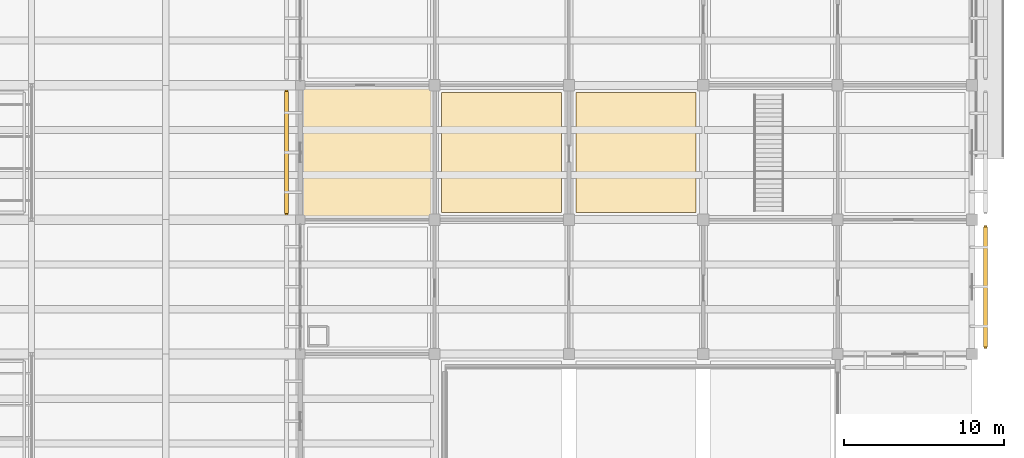
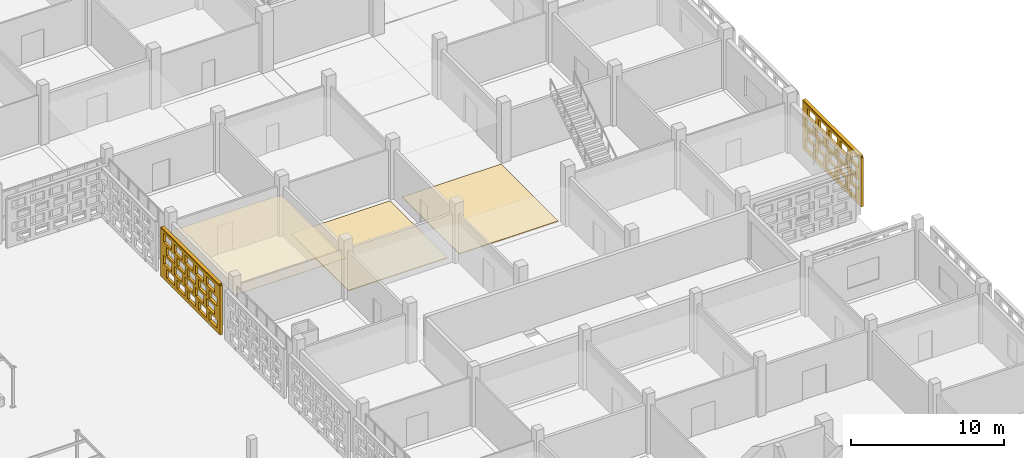
# One storey, part 122 of 129: 5 coverings, 2 shading devices, 40 openings.
"""IFC4 building model written with IfcOpenShell, lengths in metres."""

from ifc_helpers import new_model, si_unit, direction, frame, frame_2d, origin, origin_2d, place, context, subcontext, project, spatial, rectangle, extrude, material, layer, layer_set, type_object, element, save


model = new_model("IFC4")

# Units and contexts
model_context = context("Model", 3, precision=1e-05, world=origin(), true_north=direction((0.0, 1.0)))
body_context = subcontext(model_context, "Body", "Model", "MODEL_VIEW")
ifc_project = project(units=[si_unit("LENGTHUNIT", "METRE"), si_unit("AREAUNIT", "SQUARE_METRE"), si_unit("VOLUMEUNIT", "CUBIC_METRE"), si_unit("PLANEANGLEUNIT", "RADIAN"), si_unit("MASSUNIT", "GRAM", prefix="KILO")], contexts=[model_context])

# Site, building, storey
site_placement = place(None, origin())
site = spatial("IfcSite", under=ifc_project, at=site_placement, CompositionType="ELEMENT")
building_placement = place(site_placement, origin())
building = spatial("IfcBuilding", under=site, at=building_placement, Name="Varnapada Polytechnic", CompositionType="ELEMENT")
storey_placement = place(building_placement, origin())
storey = spatial("IfcBuildingStorey", under=building, at=storey_placement, Name="L00", CompositionType="ELEMENT", Elevation=0.0)

# Coverings
ifc_material_1 = material(Name="End-Grain Timber Studio Block Flooring", Category="wood")
ifc_layer_1 = layer(ifc_material_1, 0.054931640625)
ifc_layer_set_1 = layer_set([ifc_layer_1], Name="End-Grain Timber Studio Block Flooring")
covering_type_1 = type_object("IfcCoveringType", Name="Floor Finish FLR-04", PredefinedType="FLOORING", material=ifc_layer_set_1)
for number, where, z_axis, x_axis, name in (
    (1, (147.0, 71.39990234375, 0.0), (0.0, 0.0, 1.0), (1.0, 0.0, 0.0), "L00 floor finish panel (18,9)"),
    (2, (155.39990234375, 71.39990234375, 0.0), (0.0, 0.0, 1.0), (1.0, 0.0, 0.0), "L00 floor finish panel (19,9)"),
):
    element("IfcCovering", number, at=place(storey_placement, frame(where, z_axis=z_axis, x_axis=x_axis)), inside=storey, type_object=covering_type_1, Name=name, PredefinedType="FLOORING", context=body_context, shape_type="SweptSolid", body=[
        extrude(rectangle(XDim=7.5, YDim=7.5, at=origin_2d()), origin(), (0.0, 0.0, 1.0), 0.054931640625),
    ])
ifc_material_2 = material(Name="Micro-Perforated Gypsum Acoustic Ceiling")
ifc_layer_2 = layer(ifc_material_2, 0.044921875)
ifc_layer_set_2 = layer_set([ifc_layer_2], Name="Micro-Perforated Gypsum Acoustic Ceiling")
covering_type_2 = type_object("IfcCoveringType", Name="Suspended Ceiling CLG-04", PredefinedType="CEILING", material=ifc_layer_set_2)
covering_1_placement = place(storey_placement, frame((138.60009765625, 71.39990234375, 3.027587890625), z_axis=(0.0, 0.0, 1.0), x_axis=(1.0, 0.0, 0.0)))
element("IfcCovering", 3, at=covering_1_placement, inside=storey, type_object=covering_type_2, Name="L00 suspended acoustic ceiling (17,9)", PredefinedType="CEILING", context=body_context, shape_type="SweptSolid", body=[
    extrude(rectangle(XDim=8.419921875, YDim=8.419921875, at=origin_2d()), origin(), (0.0, 0.0, 1.0), 0.044921875),
])

# Covering, openings
ifc_material_3 = material(Name="Earth-toned architectural terracotta screen block", Category="masonry")
ifc_layer_3 = layer(ifc_material_3, 0.1201171875)
ifc_layer_set_3 = layer_set([ifc_layer_3], Name="Earth-toned architectural terracotta screen block")
covering_type_3 = type_object("IfcCoveringType", Name="Terracotta Screen Cladding CLD-01", PredefinedType="CLADDING", material=ifc_layer_set_3)
covering_2_placement = place(storey_placement, frame((133.550048828125, 67.5, 0.0), z_axis=(0.0, 0.0, 1.0), x_axis=(0.0, 1.0, 0.0)))
covering_2 = element("IfcCovering", 4, at=covering_2_placement, inside=storey, type_object=covering_type_3, Name="L00 perforated terracotta block screen (88)", PredefinedType="CLADDING", context=body_context, shape_type="SweptSolid", body=[
    extrude(rectangle(XDim=7.800048828125, YDim=0.179931640625, at=frame_2d((3.89990234375, 0.0))), origin(), (0.0, 0.0, 1.0), 3.919921875),
])
opening_1_placement = place(covering_2_placement, frame((0.39990234375, 0.0, 0.313720703125)))
element("IfcOpeningElement", 5, at=opening_1_placement, cuts=covering_2, Name="Screen perforation TBS-L00-087.1", PredefinedType="OPENING", context=body_context, shape_type="SweptSolid", body=[
    extrude(rectangle(XDim=1.0400390625, YDim=0.679931640625, at=frame_2d((0.52001953125, 0.33984375))), frame((0.0, 0.099853515625, 0.0), z_axis=(0.0, -1.0, 0.0), x_axis=(1.0, 0.0, 0.0)), (0.0, 0.0, 1.0), 0.199951171875),
])
opening_2_placement = place(covering_2_placement, frame((1.800048828125, 0.0, 0.313720703125)))
element("IfcOpeningElement", 6, at=opening_2_placement, cuts=covering_2, Name="Screen perforation TBS-L00-087.2", PredefinedType="OPENING", context=body_context, shape_type="SweptSolid", body=[
    extrude(rectangle(XDim=1.0400390625, YDim=0.679931640625, at=frame_2d((0.52001953125, 0.33984375))), frame((0.0, 0.099853515625, 0.0), z_axis=(0.0, -1.0, 0.0), x_axis=(1.0, 0.0, 0.0)), (0.0, 0.0, 1.0), 0.199951171875),
])
opening_3_placement = place(covering_2_placement, frame((3.199951171875, 0.0, 0.313720703125)))
element("IfcOpeningElement", 7, at=opening_3_placement, cuts=covering_2, Name="Screen perforation TBS-L00-087.3", PredefinedType="OPENING", context=body_context, shape_type="SweptSolid", body=[
    extrude(rectangle(XDim=1.0400390625, YDim=0.679931640625, at=frame_2d((0.52001953125, 0.33984375))), frame((0.0, 0.099853515625, 0.0), z_axis=(0.0, -1.0, 0.0), x_axis=(1.0, 0.0, 0.0)), (0.0, 0.0, 1.0), 0.199951171875),
])
opening_4_placement = place(covering_2_placement, frame((4.60009765625, 0.0, 0.313720703125)))
element("IfcOpeningElement", 8, at=opening_4_placement, cuts=covering_2, Name="Screen perforation TBS-L00-087.4", PredefinedType="OPENING", context=body_context, shape_type="SweptSolid", body=[
    extrude(rectangle(XDim=1.0400390625, YDim=0.679931640625, at=frame_2d((0.52001953125, 0.33984375))), frame((0.0, 0.099853515625, 0.0), z_axis=(0.0, -1.0, 0.0), x_axis=(1.0, 0.0, 0.0)), (0.0, 0.0, 1.0), 0.199951171875),
])
opening_5_placement = place(covering_2_placement, frame((6.0, 0.0, 0.313720703125)))
element("IfcOpeningElement", 9, at=opening_5_placement, cuts=covering_2, Name="Screen perforation TBS-L00-087.5", PredefinedType="OPENING", context=body_context, shape_type="SweptSolid", body=[
    extrude(rectangle(XDim=1.0400390625, YDim=0.679931640625, at=frame_2d((0.52001953125, 0.33984375))), frame((0.0, 0.099853515625, 0.0), z_axis=(0.0, -1.0, 0.0), x_axis=(1.0, 0.0, 0.0)), (0.0, 0.0, 1.0), 0.199951171875),
])
opening_6_placement = place(covering_2_placement, frame((0.760009765625, 0.0, 1.195556640625)))
element("IfcOpeningElement", 10, at=opening_6_placement, cuts=covering_2, Name="Screen perforation TBS-L00-087.6", PredefinedType="OPENING", context=body_context, shape_type="SweptSolid", body=[
    extrude(rectangle(XDim=1.0400390625, YDim=0.679931640625, at=frame_2d((0.52001953125, 0.33984375))), frame((0.0, 0.099853515625, 0.0), z_axis=(0.0, -1.0, 0.0), x_axis=(1.0, 0.0, 0.0)), (0.0, 0.0, 1.0), 0.199951171875),
])
opening_7_placement = place(covering_2_placement, frame((2.159912109375, 0.0, 1.195556640625)))
element("IfcOpeningElement", 11, at=opening_7_placement, cuts=covering_2, Name="Screen perforation TBS-L00-087.7", PredefinedType="OPENING", context=body_context, shape_type="SweptSolid", body=[
    extrude(rectangle(XDim=1.0400390625, YDim=0.679931640625, at=frame_2d((0.52001953125, 0.33984375))), frame((0.0, 0.099853515625, 0.0), z_axis=(0.0, -1.0, 0.0), x_axis=(1.0, 0.0, 0.0)), (0.0, 0.0, 1.0), 0.199951171875),
])
opening_8_placement = place(covering_2_placement, frame((3.56005859375, 0.0, 1.195556640625)))
element("IfcOpeningElement", 12, at=opening_8_placement, cuts=covering_2, Name="Screen perforation TBS-L00-087.8", PredefinedType="OPENING", context=body_context, shape_type="SweptSolid", body=[
    extrude(rectangle(XDim=1.0400390625, YDim=0.679931640625, at=frame_2d((0.52001953125, 0.33984375))), frame((0.0, 0.099853515625, 0.0), z_axis=(0.0, -1.0, 0.0), x_axis=(1.0, 0.0, 0.0)), (0.0, 0.0, 1.0), 0.199951171875),
])
opening_9_placement = place(covering_2_placement, frame((4.9599609375, 0.0, 1.195556640625)))
element("IfcOpeningElement", 13, at=opening_9_placement, cuts=covering_2, Name="Screen perforation TBS-L00-087.9", PredefinedType="OPENING", context=body_context, shape_type="SweptSolid", body=[
    extrude(rectangle(XDim=1.0400390625, YDim=0.679931640625, at=frame_2d((0.52001953125, 0.33984375))), frame((0.0, 0.099853515625, 0.0), z_axis=(0.0, -1.0, 0.0), x_axis=(1.0, 0.0, 0.0)), (0.0, 0.0, 1.0), 0.199951171875),
])
opening_10_placement = place(covering_2_placement, frame((6.360107421875, 0.0, 1.195556640625)))
element("IfcOpeningElement", 14, at=opening_10_placement, cuts=covering_2, Name="Screen perforation TBS-L00-087.10", PredefinedType="OPENING", context=body_context, shape_type="SweptSolid", body=[
    extrude(rectangle(XDim=1.0400390625, YDim=0.679931640625, at=frame_2d((0.52001953125, 0.33984375))), frame((0.0, 0.099853515625, 0.0), z_axis=(0.0, -1.0, 0.0), x_axis=(1.0, 0.0, 0.0)), (0.0, 0.0, 1.0), 0.199951171875),
])
opening_11_placement = place(covering_2_placement, frame((0.39990234375, 0.0, 2.07763671875)))
element("IfcOpeningElement", 15, at=opening_11_placement, cuts=covering_2, Name="Screen perforation TBS-L00-087.11", PredefinedType="OPENING", context=body_context, shape_type="SweptSolid", body=[
    extrude(rectangle(XDim=1.0400390625, YDim=0.679931640625, at=frame_2d((0.52001953125, 0.33984375))), frame((0.0, 0.099853515625, 0.0), z_axis=(0.0, -1.0, 0.0), x_axis=(1.0, 0.0, 0.0)), (0.0, 0.0, 1.0), 0.199951171875),
])
opening_12_placement = place(covering_2_placement, frame((1.800048828125, 0.0, 2.07763671875)))
element("IfcOpeningElement", 16, at=opening_12_placement, cuts=covering_2, Name="Screen perforation TBS-L00-087.12", PredefinedType="OPENING", context=body_context, shape_type="SweptSolid", body=[
    extrude(rectangle(XDim=1.0400390625, YDim=0.679931640625, at=frame_2d((0.52001953125, 0.33984375))), frame((0.0, 0.099853515625, 0.0), z_axis=(0.0, -1.0, 0.0), x_axis=(1.0, 0.0, 0.0)), (0.0, 0.0, 1.0), 0.199951171875),
])
opening_13_placement = place(covering_2_placement, frame((3.199951171875, 0.0, 2.07763671875)))
element("IfcOpeningElement", 17, at=opening_13_placement, cuts=covering_2, Name="Screen perforation TBS-L00-087.13", PredefinedType="OPENING", context=body_context, shape_type="SweptSolid", body=[
    extrude(rectangle(XDim=1.0400390625, YDim=0.679931640625, at=frame_2d((0.52001953125, 0.33984375))), frame((0.0, 0.099853515625, 0.0), z_axis=(0.0, -1.0, 0.0), x_axis=(1.0, 0.0, 0.0)), (0.0, 0.0, 1.0), 0.199951171875),
])
opening_14_placement = place(covering_2_placement, frame((4.60009765625, 0.0, 2.07763671875)))
element("IfcOpeningElement", 18, at=opening_14_placement, cuts=covering_2, Name="Screen perforation TBS-L00-087.14", PredefinedType="OPENING", context=body_context, shape_type="SweptSolid", body=[
    extrude(rectangle(XDim=1.0400390625, YDim=0.679931640625, at=frame_2d((0.52001953125, 0.33984375))), frame((0.0, 0.099853515625, 0.0), z_axis=(0.0, -1.0, 0.0), x_axis=(1.0, 0.0, 0.0)), (0.0, 0.0, 1.0), 0.199951171875),
])
opening_15_placement = place(covering_2_placement, frame((6.0, 0.0, 2.07763671875)))
element("IfcOpeningElement", 19, at=opening_15_placement, cuts=covering_2, Name="Screen perforation TBS-L00-087.15", PredefinedType="OPENING", context=body_context, shape_type="SweptSolid", body=[
    extrude(rectangle(XDim=1.0400390625, YDim=0.679931640625, at=frame_2d((0.52001953125, 0.33984375))), frame((0.0, 0.099853515625, 0.0), z_axis=(0.0, -1.0, 0.0), x_axis=(1.0, 0.0, 0.0)), (0.0, 0.0, 1.0), 0.199951171875),
])
opening_16_placement = place(covering_2_placement, frame((0.760009765625, 0.0, 2.959716796875)))
element("IfcOpeningElement", 20, at=opening_16_placement, cuts=covering_2, Name="Screen perforation TBS-L00-087.16", PredefinedType="OPENING", context=body_context, shape_type="SweptSolid", body=[
    extrude(rectangle(XDim=1.0400390625, YDim=0.679931640625, at=frame_2d((0.52001953125, 0.33984375))), frame((0.0, 0.099853515625, 0.0), z_axis=(0.0, -1.0, 0.0), x_axis=(1.0, 0.0, 0.0)), (0.0, 0.0, 1.0), 0.199951171875),
])
opening_17_placement = place(covering_2_placement, frame((2.159912109375, 0.0, 2.959716796875)))
element("IfcOpeningElement", 21, at=opening_17_placement, cuts=covering_2, Name="Screen perforation TBS-L00-087.17", PredefinedType="OPENING", context=body_context, shape_type="SweptSolid", body=[
    extrude(rectangle(XDim=1.0400390625, YDim=0.679931640625, at=frame_2d((0.52001953125, 0.33984375))), frame((0.0, 0.099853515625, 0.0), z_axis=(0.0, -1.0, 0.0), x_axis=(1.0, 0.0, 0.0)), (0.0, 0.0, 1.0), 0.199951171875),
])
opening_18_placement = place(covering_2_placement, frame((3.56005859375, 0.0, 2.959716796875)))
element("IfcOpeningElement", 22, at=opening_18_placement, cuts=covering_2, Name="Screen perforation TBS-L00-087.18", PredefinedType="OPENING", context=body_context, shape_type="SweptSolid", body=[
    extrude(rectangle(XDim=1.0400390625, YDim=0.679931640625, at=frame_2d((0.52001953125, 0.33984375))), frame((0.0, 0.099853515625, 0.0), z_axis=(0.0, -1.0, 0.0), x_axis=(1.0, 0.0, 0.0)), (0.0, 0.0, 1.0), 0.199951171875),
])
opening_19_placement = place(covering_2_placement, frame((4.9599609375, 0.0, 2.959716796875)))
element("IfcOpeningElement", 23, at=opening_19_placement, cuts=covering_2, Name="Screen perforation TBS-L00-087.19", PredefinedType="OPENING", context=body_context, shape_type="SweptSolid", body=[
    extrude(rectangle(XDim=1.0400390625, YDim=0.679931640625, at=frame_2d((0.52001953125, 0.33984375))), frame((0.0, 0.099853515625, 0.0), z_axis=(0.0, -1.0, 0.0), x_axis=(1.0, 0.0, 0.0)), (0.0, 0.0, 1.0), 0.199951171875),
])
opening_20_placement = place(covering_2_placement, frame((6.360107421875, 0.0, 2.959716796875)))
element("IfcOpeningElement", 24, at=opening_20_placement, cuts=covering_2, Name="Screen perforation TBS-L00-087.20", PredefinedType="OPENING", context=body_context, shape_type="SweptSolid", body=[
    extrude(rectangle(XDim=1.0400390625, YDim=0.679931640625, at=frame_2d((0.52001953125, 0.33984375))), frame((0.0, 0.099853515625, 0.0), z_axis=(0.0, -1.0, 0.0), x_axis=(1.0, 0.0, 0.0)), (0.0, 0.0, 1.0), 0.199951171875),
])

covering_3_placement = place(storey_placement, frame((177.25, 66.85009765625, 0.0), z_axis=(0.0, 0.0, 1.0), x_axis=(0.0, -1.0, 0.0)))
covering_3 = element("IfcCovering", 25, at=covering_3_placement, inside=storey, type_object=covering_type_3, Name="L00 perforated terracotta block screen (106)", PredefinedType="CLADDING", context=body_context, shape_type="SweptSolid", body=[
    extrude(rectangle(XDim=7.7001953125, YDim=0.179931640625, at=frame_2d((3.85009765625, 0.0))), origin(), (0.0, 0.0, 1.0), 3.919921875),
])
opening_21_placement = place(covering_3_placement, frame((0.35009765625, 0.0, 0.313720703125)))
element("IfcOpeningElement", 26, at=opening_21_placement, cuts=covering_3, Name="Screen perforation TBS-L00-105.1", PredefinedType="OPENING", context=body_context, shape_type="SweptSolid", body=[
    extrude(rectangle(XDim=1.0400390625, YDim=0.679931640625, at=frame_2d((0.52001953125, 0.33984375))), frame((0.0, 0.099853515625, 0.0), z_axis=(0.0, -1.0, 0.0), x_axis=(1.0, 0.0, 0.0)), (0.0, 0.0, 1.0), 0.199951171875),
])
opening_22_placement = place(covering_3_placement, frame((1.75, 0.0, 0.313720703125)))
element("IfcOpeningElement", 27, at=opening_22_placement, cuts=covering_3, Name="Screen perforation TBS-L00-105.2", PredefinedType="OPENING", context=body_context, shape_type="SweptSolid", body=[
    extrude(rectangle(XDim=1.0400390625, YDim=0.679931640625, at=frame_2d((0.52001953125, 0.33984375))), frame((0.0, 0.099853515625, 0.0), z_axis=(0.0, -1.0, 0.0), x_axis=(1.0, 0.0, 0.0)), (0.0, 0.0, 1.0), 0.199951171875),
])
opening_23_placement = place(covering_3_placement, frame((3.14990234375, 0.0, 0.313720703125)))
element("IfcOpeningElement", 28, at=opening_23_placement, cuts=covering_3, Name="Screen perforation TBS-L00-105.3", PredefinedType="OPENING", context=body_context, shape_type="SweptSolid", body=[
    extrude(rectangle(XDim=1.0400390625, YDim=0.679931640625, at=frame_2d((0.52001953125, 0.33984375))), frame((0.0, 0.099853515625, 0.0), z_axis=(0.0, -1.0, 0.0), x_axis=(1.0, 0.0, 0.0)), (0.0, 0.0, 1.0), 0.199951171875),
])
opening_24_placement = place(covering_3_placement, frame((4.550048828125, 0.0, 0.313720703125)))
element("IfcOpeningElement", 29, at=opening_24_placement, cuts=covering_3, Name="Screen perforation TBS-L00-105.4", PredefinedType="OPENING", context=body_context, shape_type="SweptSolid", body=[
    extrude(rectangle(XDim=1.0400390625, YDim=0.679931640625, at=frame_2d((0.52001953125, 0.33984375))), frame((0.0, 0.099853515625, 0.0), z_axis=(0.0, -1.0, 0.0), x_axis=(1.0, 0.0, 0.0)), (0.0, 0.0, 1.0), 0.199951171875),
])
opening_25_placement = place(covering_3_placement, frame((5.949951171875, 0.0, 0.313720703125)))
element("IfcOpeningElement", 30, at=opening_25_placement, cuts=covering_3, Name="Screen perforation TBS-L00-105.5", PredefinedType="OPENING", context=body_context, shape_type="SweptSolid", body=[
    extrude(rectangle(XDim=1.0400390625, YDim=0.679931640625, at=frame_2d((0.52001953125, 0.33984375))), frame((0.0, 0.099853515625, 0.0), z_axis=(0.0, -1.0, 0.0), x_axis=(1.0, 0.0, 0.0)), (0.0, 0.0, 1.0), 0.199951171875),
])
opening_26_placement = place(covering_3_placement, frame((0.7099609375, 0.0, 1.195556640625)))
element("IfcOpeningElement", 31, at=opening_26_placement, cuts=covering_3, Name="Screen perforation TBS-L00-105.6", PredefinedType="OPENING", context=body_context, shape_type="SweptSolid", body=[
    extrude(rectangle(XDim=1.0400390625, YDim=0.679931640625, at=frame_2d((0.52001953125, 0.33984375))), frame((0.0, 0.099853515625, 0.0), z_axis=(0.0, -1.0, 0.0), x_axis=(1.0, 0.0, 0.0)), (0.0, 0.0, 1.0), 0.199951171875),
])
opening_27_placement = place(covering_3_placement, frame((2.110107421875, 0.0, 1.195556640625)))
element("IfcOpeningElement", 32, at=opening_27_placement, cuts=covering_3, Name="Screen perforation TBS-L00-105.7", PredefinedType="OPENING", context=body_context, shape_type="SweptSolid", body=[
    extrude(rectangle(XDim=1.0400390625, YDim=0.679931640625, at=frame_2d((0.52001953125, 0.33984375))), frame((0.0, 0.099853515625, 0.0), z_axis=(0.0, -1.0, 0.0), x_axis=(1.0, 0.0, 0.0)), (0.0, 0.0, 1.0), 0.199951171875),
])
opening_28_placement = place(covering_3_placement, frame((3.510009765625, 0.0, 1.195556640625)))
element("IfcOpeningElement", 33, at=opening_28_placement, cuts=covering_3, Name="Screen perforation TBS-L00-105.8", PredefinedType="OPENING", context=body_context, shape_type="SweptSolid", body=[
    extrude(rectangle(XDim=1.0400390625, YDim=0.679931640625, at=frame_2d((0.52001953125, 0.33984375))), frame((0.0, 0.099853515625, 0.0), z_axis=(0.0, -1.0, 0.0), x_axis=(1.0, 0.0, 0.0)), (0.0, 0.0, 1.0), 0.199951171875),
])
opening_29_placement = place(covering_3_placement, frame((4.909912109375, 0.0, 1.195556640625)))
element("IfcOpeningElement", 34, at=opening_29_placement, cuts=covering_3, Name="Screen perforation TBS-L00-105.9", PredefinedType="OPENING", context=body_context, shape_type="SweptSolid", body=[
    extrude(rectangle(XDim=1.0400390625, YDim=0.679931640625, at=frame_2d((0.52001953125, 0.33984375))), frame((0.0, 0.099853515625, 0.0), z_axis=(0.0, -1.0, 0.0), x_axis=(1.0, 0.0, 0.0)), (0.0, 0.0, 1.0), 0.199951171875),
])
opening_30_placement = place(covering_3_placement, frame((6.31005859375, 0.0, 1.195556640625)))
element("IfcOpeningElement", 35, at=opening_30_placement, cuts=covering_3, Name="Screen perforation TBS-L00-105.10", PredefinedType="OPENING", context=body_context, shape_type="SweptSolid", body=[
    extrude(rectangle(XDim=1.0400390625, YDim=0.679931640625, at=frame_2d((0.52001953125, 0.33984375))), frame((0.0, 0.099853515625, 0.0), z_axis=(0.0, -1.0, 0.0), x_axis=(1.0, 0.0, 0.0)), (0.0, 0.0, 1.0), 0.199951171875),
])
opening_31_placement = place(covering_3_placement, frame((0.35009765625, 0.0, 2.07763671875)))
element("IfcOpeningElement", 36, at=opening_31_placement, cuts=covering_3, Name="Screen perforation TBS-L00-105.11", PredefinedType="OPENING", context=body_context, shape_type="SweptSolid", body=[
    extrude(rectangle(XDim=1.0400390625, YDim=0.679931640625, at=frame_2d((0.52001953125, 0.33984375))), frame((0.0, 0.099853515625, 0.0), z_axis=(0.0, -1.0, 0.0), x_axis=(1.0, 0.0, 0.0)), (0.0, 0.0, 1.0), 0.199951171875),
])
opening_32_placement = place(covering_3_placement, frame((1.75, 0.0, 2.07763671875)))
element("IfcOpeningElement", 37, at=opening_32_placement, cuts=covering_3, Name="Screen perforation TBS-L00-105.12", PredefinedType="OPENING", context=body_context, shape_type="SweptSolid", body=[
    extrude(rectangle(XDim=1.0400390625, YDim=0.679931640625, at=frame_2d((0.52001953125, 0.33984375))), frame((0.0, 0.099853515625, 0.0), z_axis=(0.0, -1.0, 0.0), x_axis=(1.0, 0.0, 0.0)), (0.0, 0.0, 1.0), 0.199951171875),
])
opening_33_placement = place(covering_3_placement, frame((3.14990234375, 0.0, 2.07763671875)))
element("IfcOpeningElement", 38, at=opening_33_placement, cuts=covering_3, Name="Screen perforation TBS-L00-105.13", PredefinedType="OPENING", context=body_context, shape_type="SweptSolid", body=[
    extrude(rectangle(XDim=1.0400390625, YDim=0.679931640625, at=frame_2d((0.52001953125, 0.33984375))), frame((0.0, 0.099853515625, 0.0), z_axis=(0.0, -1.0, 0.0), x_axis=(1.0, 0.0, 0.0)), (0.0, 0.0, 1.0), 0.199951171875),
])
opening_34_placement = place(covering_3_placement, frame((4.550048828125, 0.0, 2.07763671875)))
element("IfcOpeningElement", 39, at=opening_34_placement, cuts=covering_3, Name="Screen perforation TBS-L00-105.14", PredefinedType="OPENING", context=body_context, shape_type="SweptSolid", body=[
    extrude(rectangle(XDim=1.0400390625, YDim=0.679931640625, at=frame_2d((0.52001953125, 0.33984375))), frame((0.0, 0.099853515625, 0.0), z_axis=(0.0, -1.0, 0.0), x_axis=(1.0, 0.0, 0.0)), (0.0, 0.0, 1.0), 0.199951171875),
])
opening_35_placement = place(covering_3_placement, frame((5.949951171875, 0.0, 2.07763671875)))
element("IfcOpeningElement", 40, at=opening_35_placement, cuts=covering_3, Name="Screen perforation TBS-L00-105.15", PredefinedType="OPENING", context=body_context, shape_type="SweptSolid", body=[
    extrude(rectangle(XDim=1.0400390625, YDim=0.679931640625, at=frame_2d((0.52001953125, 0.33984375))), frame((0.0, 0.099853515625, 0.0), z_axis=(0.0, -1.0, 0.0), x_axis=(1.0, 0.0, 0.0)), (0.0, 0.0, 1.0), 0.199951171875),
])
opening_36_placement = place(covering_3_placement, frame((0.7099609375, 0.0, 2.959716796875)))
element("IfcOpeningElement", 41, at=opening_36_placement, cuts=covering_3, Name="Screen perforation TBS-L00-105.16", PredefinedType="OPENING", context=body_context, shape_type="SweptSolid", body=[
    extrude(rectangle(XDim=1.0400390625, YDim=0.679931640625, at=frame_2d((0.52001953125, 0.33984375))), frame((0.0, 0.099853515625, 0.0), z_axis=(0.0, -1.0, 0.0), x_axis=(1.0, 0.0, 0.0)), (0.0, 0.0, 1.0), 0.199951171875),
])
opening_37_placement = place(covering_3_placement, frame((2.110107421875, 0.0, 2.959716796875)))
element("IfcOpeningElement", 42, at=opening_37_placement, cuts=covering_3, Name="Screen perforation TBS-L00-105.17", PredefinedType="OPENING", context=body_context, shape_type="SweptSolid", body=[
    extrude(rectangle(XDim=1.0400390625, YDim=0.679931640625, at=frame_2d((0.52001953125, 0.33984375))), frame((0.0, 0.099853515625, 0.0), z_axis=(0.0, -1.0, 0.0), x_axis=(1.0, 0.0, 0.0)), (0.0, 0.0, 1.0), 0.199951171875),
])
opening_38_placement = place(covering_3_placement, frame((3.510009765625, 0.0, 2.959716796875)))
element("IfcOpeningElement", 43, at=opening_38_placement, cuts=covering_3, Name="Screen perforation TBS-L00-105.18", PredefinedType="OPENING", context=body_context, shape_type="SweptSolid", body=[
    extrude(rectangle(XDim=1.0400390625, YDim=0.679931640625, at=frame_2d((0.52001953125, 0.33984375))), frame((0.0, 0.099853515625, 0.0), z_axis=(0.0, -1.0, 0.0), x_axis=(1.0, 0.0, 0.0)), (0.0, 0.0, 1.0), 0.199951171875),
])
opening_39_placement = place(covering_3_placement, frame((4.909912109375, 0.0, 2.959716796875)))
element("IfcOpeningElement", 44, at=opening_39_placement, cuts=covering_3, Name="Screen perforation TBS-L00-105.19", PredefinedType="OPENING", context=body_context, shape_type="SweptSolid", body=[
    extrude(rectangle(XDim=1.0400390625, YDim=0.679931640625, at=frame_2d((0.52001953125, 0.33984375))), frame((0.0, 0.099853515625, 0.0), z_axis=(0.0, -1.0, 0.0), x_axis=(1.0, 0.0, 0.0)), (0.0, 0.0, 1.0), 0.199951171875),
])
opening_40_placement = place(covering_3_placement, frame((6.31005859375, 0.0, 2.959716796875)))
element("IfcOpeningElement", 45, at=opening_40_placement, cuts=covering_3, Name="Screen perforation TBS-L00-105.20", PredefinedType="OPENING", context=body_context, shape_type="SweptSolid", body=[
    extrude(rectangle(XDim=1.0400390625, YDim=0.679931640625, at=frame_2d((0.52001953125, 0.33984375))), frame((0.0, 0.099853515625, 0.0), z_axis=(0.0, -1.0, 0.0), x_axis=(1.0, 0.0, 0.0)), (0.0, 0.0, 1.0), 0.199951171875),
])

# Shading devices
ifc_layer_4 = layer(ifc_material_3, 0.179931640625)
ifc_layer_set_4 = layer_set([ifc_layer_4], Name="Earth-toned architectural terracotta screen block")
shading_device_type = type_object("IfcShadingDeviceType", Name="Terracotta Screen SCR-02", PredefinedType="USERDEFINED", material=ifc_layer_set_4)
shading_device_1_placement = place(storey_placement, frame((133.550048828125, 71.39990234375, 3.909912109375), z_axis=(0.0, 0.0, 1.0), x_axis=(0.0, 1.0, 0.0)))
element("IfcShadingDevice", 46, at=shading_device_1_placement, inside=storey, type_object=shading_device_type, Name="L00 perforated terracotta screen hood 61", ObjectType="SCREEN", PredefinedType="USERDEFINED", context=body_context, shape_type="SweptSolid", body=[
    extrude(rectangle(XDim=7.60009765625, YDim=0.239990234375, at=origin_2d()), origin(), (0.0, 0.0, 1.0), 0.10009765625),
])
shading_device_2_placement = place(storey_placement, frame((177.25, 63.0, 3.909912109375), z_axis=(0.0, 0.0, 1.0), x_axis=(0.0, -1.0, 0.0)))
element("IfcShadingDevice", 47, at=shading_device_2_placement, inside=storey, type_object=shading_device_type, Name="L00 perforated terracotta screen hood 77", ObjectType="SCREEN", PredefinedType="USERDEFINED", context=body_context, shape_type="SweptSolid", body=[
    extrude(rectangle(XDim=7.5, YDim=0.239990234375, at=origin_2d()), origin(), (0.0, 0.0, 1.0), 0.10009765625),
])

save(model, "model.ifc")
